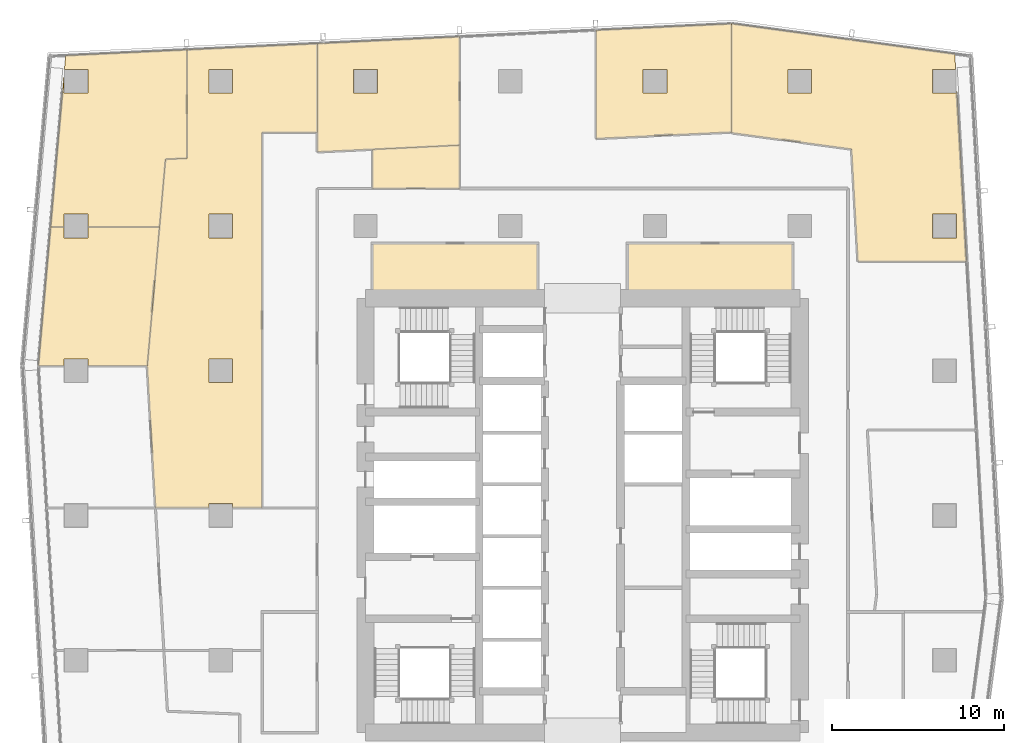
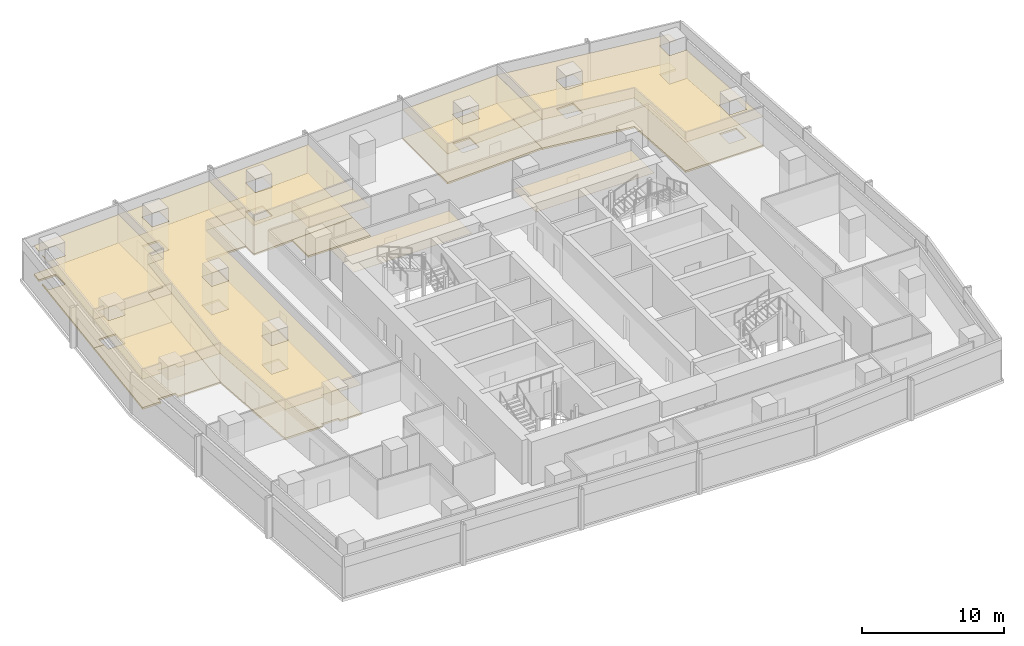
# One storey, part 39 of 39: 16 coverings.
"""IFC4 building model written with IfcOpenShell, lengths in metres."""

from ifc_helpers import new_model, si_unit, direction, frame, origin, place, context, subcontext, project, spatial, polyline, outline, extrude, material, layer, layer_set, type_object, element, save


model = new_model("IFC4")

# Units and contexts
model_context = context("Model", 3, precision=1e-05, world=origin(), true_north=direction((0.0, 1.0)))
body_context = subcontext(model_context, "Body", "Model", "MODEL_VIEW")
ifc_project = project(units=[si_unit("LENGTHUNIT", "METRE"), si_unit("AREAUNIT", "SQUARE_METRE"), si_unit("VOLUMEUNIT", "CUBIC_METRE"), si_unit("PLANEANGLEUNIT", "RADIAN"), si_unit("MASSUNIT", "GRAM", prefix="KILO")], contexts=[model_context])

# Site, building, storey
site_placement = place(None, origin())
site = spatial("IfcSite", under=ifc_project, at=site_placement, CompositionType="ELEMENT")
building_placement = place(site_placement, origin())
building = spatial("IfcBuilding", under=site, at=building_placement, Name="Rekha Terrace Tower", CompositionType="ELEMENT")
storey_placement = place(building_placement, frame((0.0, 0.0, 225.199951171875)))
storey = spatial("IfcBuildingStorey", under=building, at=storey_placement, Name="L57", CompositionType="ELEMENT", Elevation=225.199951171875)

# Coverings
ifc_material_1 = material(Name="Mineral fibre tile in exposed grid", Category="finish")
ifc_layer_1 = layer(ifc_material_1, 0.02001953125)
ifc_layer_set_1 = layer_set([ifc_layer_1], Name="Mineral fibre tile in exposed grid")
covering_type_1 = type_object("IfcCoveringType", Name="CL1 600x1200 office grid ceiling", PredefinedType="CEILING", material=ifc_layer_set_1)
covering_1_placement = place(storey_placement, frame((0.0, 0.0, 2.580078125)))
element("IfcCovering", 1, at=covering_1_placement, inside=storey, type_object=covering_type_1, Name="Ceiling L57-05", PredefinedType="CEILING", context=body_context, shape_type="SweptSolid", body=[
    extrude(outline(polyline([(58.110107421875, 59.489990234375), (59.443115234375, 59.489990234375), (59.39208984375, 60.39208984375), (46.445068359375, 62.154052734375), (46.445068359375, 55.7958984375), (53.39599609375, 54.85009765625), (53.76611328125, 48.33203125), (60.075927734375, 48.33203125), (59.51611328125, 58.2099609375), (59.489990234375, 58.208984375), (59.489990234375, 58.110107421875), (58.110107421875, 58.110107421875), (58.110107421875, 59.489990234375)]), holes=[polyline([(59.489990234375, 51.090087890625), (59.489990234375, 49.7099609375), (58.110107421875, 49.7099609375), (58.110107421875, 51.090087890625), (59.489990234375, 51.090087890625)]), polyline([(51.090087890625, 58.110107421875), (49.7099609375, 58.110107421875), (49.7099609375, 59.489990234375), (51.090087890625, 59.489990234375), (51.090087890625, 58.110107421875)])]), origin(), (0.0, 0.0, 1.0), 0.02001953125),
])
covering_2_placement = place(storey_placement, frame((0.0, 0.0, 2.580078125)))
element("IfcCovering", 2, at=covering_2_placement, inside=storey, type_object=covering_type_1, Name="Ceiling L57-06", PredefinedType="CEILING", context=body_context, shape_type="SweptSolid", body=[
    extrude(outline(polyline([(46.444091796875, 62.14697265625), (38.571044921875, 61.77099609375), (38.571044921875, 55.464111328125), (46.444091796875, 55.840087890625), (46.444091796875, 62.14697265625)]), holes=[polyline([(42.68994140625, 59.489990234375), (42.68994140625, 58.110107421875), (41.31005859375, 58.110107421875), (41.31005859375, 59.489990234375), (42.68994140625, 59.489990234375)])]), origin(), (0.0, 0.0, 1.0), 0.02001953125),
])
covering_3_placement = place(storey_placement, frame((0.0, 0.0, 2.580078125)))
element("IfcCovering", 3, at=covering_3_placement, inside=storey, type_object=covering_type_1, Name="Ceiling L57-07", PredefinedType="CEILING", context=body_context, shape_type="SweptSolid", body=[
    extrude(outline(polyline([(22.40087890625, 60.998046875), (22.40087890625, 54.69091796875), (30.660888671875, 55.0859375), (30.660888671875, 61.39306640625), (22.40087890625, 60.998046875)]), holes=[polyline([(25.889892578125, 58.110107421875), (24.510009765625, 58.110107421875), (24.510009765625, 59.489990234375), (25.889892578125, 59.489990234375), (25.889892578125, 58.110107421875)])]), origin(), (0.0, 0.0, 1.0), 0.02001953125),
])
covering_4_placement = place(storey_placement, frame((0.0, 0.0, 2.580078125)))
element("IfcCovering", 4, at=covering_4_placement, inside=storey, type_object=covering_type_1, Name="Ceiling L57-08", PredefinedType="CEILING", context=body_context, shape_type="SweptSolid", body=[
    extrude(outline(polyline([(13.593017578125, 54.27001953125), (14.842041015625, 54.3291015625), (14.842041015625, 60.636962890625), (7.801025390625, 60.300048828125), (7.72900390625, 59.489990234375), (9.090087890625, 59.489990234375), (9.090087890625, 58.110107421875), (7.7099609375, 58.110107421875), (7.7099609375, 59.0029296875), (7.68701171875, 59.00390625), (6.9208984375, 50.33203125), (7.7099609375, 50.33203125), (7.7099609375, 51.090087890625), (9.090087890625, 51.090087890625), (9.090087890625, 50.33203125), (13.2451171875, 50.33203125), (13.593017578125, 54.27001953125)])), origin(), (0.0, 0.0, 1.0), 0.02001953125),
])
covering_5_placement = place(storey_placement, frame((0.0, 0.0, 2.580078125)))
element("IfcCovering", 5, at=covering_5_placement, inside=storey, type_object=covering_type_1, Name="Ceiling L57-09", PredefinedType="CEILING", context=body_context, shape_type="SweptSolid", body=[
    extrude(outline(polyline([(7.7099609375, 49.7099609375), (7.7099609375, 50.3310546875), (6.9208984375, 50.3310546875), (6.2099609375, 42.282958984375), (7.7099609375, 42.282958984375), (7.7099609375, 42.68994140625), (9.090087890625, 42.68994140625), (9.090087890625, 42.282958984375), (12.534912109375, 42.282958984375), (13.2451171875, 50.3310546875), (9.090087890625, 50.3310546875), (9.090087890625, 49.7099609375), (7.7099609375, 49.7099609375)])), origin(), (0.0, 0.0, 1.0), 0.02001953125),
])
covering_6_placement = place(storey_placement, frame((0.0, 0.0, 2.580078125)))
element("IfcCovering", 6, at=covering_6_placement, inside=storey, type_object=covering_type_1, Name="Ceiling L57-14", PredefinedType="CEILING", context=body_context, shape_type="SweptSolid", body=[
    extrude(outline(polyline([(25.60009765625, 54.843994140625), (25.60009765625, 52.574951171875), (30.660888671875, 52.574951171875), (30.660888671875, 55.0859375), (25.60009765625, 54.843994140625)])), origin(), (0.0, 0.0, 1.0), 0.02001953125),
])
covering_7_placement = place(storey_placement, frame((0.0, 0.0, 2.580078125)))
element("IfcCovering", 7, at=covering_7_placement, inside=storey, type_object=covering_type_1, Name="Ceiling L57-O1b", PredefinedType="CEILING", context=body_context, shape_type="SweptSolid", body=[
    extrude(outline(polyline([(13.2451171875, 50.3310546875), (12.534912109375, 42.281005859375), (12.529052734375, 42.221923828125), (13.010986328125, 34.0400390625), (16.110107421875, 34.0400390625), (16.110107421875, 34.2900390625), (17.489990234375, 34.2900390625), (17.489990234375, 34.0400390625), (19.199951171875, 34.0400390625), (19.199951171875, 55.8291015625), (22.40087890625, 55.8291015625), (22.40087890625, 60.998046875), (14.842041015625, 60.636962890625), (14.842041015625, 54.3291015625), (13.593017578125, 54.27001953125), (13.2451171875, 50.3310546875)]), holes=[polyline([(17.489990234375, 42.68994140625), (17.489990234375, 41.31005859375), (16.110107421875, 41.31005859375), (16.110107421875, 42.68994140625), (17.489990234375, 42.68994140625)]), polyline([(17.489990234375, 51.090087890625), (17.489990234375, 49.7099609375), (16.110107421875, 49.7099609375), (16.110107421875, 51.090087890625), (17.489990234375, 51.090087890625)]), polyline([(17.489990234375, 59.489990234375), (17.489990234375, 58.110107421875), (16.110107421875, 58.110107421875), (16.110107421875, 59.489990234375), (17.489990234375, 59.489990234375)])]), origin(), (0.0, 0.0, 1.0), 0.02001953125),
])
ifc_material_2 = material(Name="Fibre cement board", Category="finish")
ifc_layer_2 = layer(ifc_material_2, 0.014892578125)
ifc_layer_set_2 = layer_set([ifc_layer_2], Name="Fibre cement board")
covering_type_2 = type_object("IfcCoveringType", Name="CL2 moisture-resistant board ceiling", PredefinedType="CEILING", material=ifc_layer_set_2)
covering_8_placement = place(storey_placement, frame((0.0, 0.0, 2.5849609375)))
element("IfcCovering", 8, at=covering_8_placement, inside=storey, type_object=covering_type_2, Name="Ceiling L57-WCF", PredefinedType="CEILING", context=body_context, shape_type="SweptSolid", body=[
    extrude(outline(polyline([(50.0, 49.39990234375), (40.39990234375, 49.39990234375), (40.39990234375, 46.199951171875), (50.0, 46.199951171875), (50.0, 49.39990234375)])), origin(), (0.0, 0.0, 1.0), 0.01513671875),
])
covering_9_placement = place(storey_placement, frame((0.0, 0.0, 2.5849609375)))
element("IfcCovering", 9, at=covering_9_placement, inside=storey, type_object=covering_type_2, Name="Ceiling L57-WCF2", PredefinedType="CEILING", context=body_context, shape_type="SweptSolid", body=[
    extrude(outline(polyline([(35.199951171875, 49.39990234375), (25.60009765625, 49.39990234375), (25.60009765625, 46.199951171875), (35.199951171875, 46.199951171875), (35.199951171875, 49.39990234375)])), origin(), (0.0, 0.0, 1.0), 0.01513671875),
])
ifc_material_3 = material(Name="Calcium sulphate panels on steel pedestals", Category="steel")
ifc_layer_3 = layer(ifc_material_3, 0.14990234375)
ifc_layer_set_3 = layer_set([ifc_layer_3], Name="Calcium sulphate panels on steel pedestals")
covering_type_3 = type_object("IfcCoveringType", Name="RF1 150 raised access floor", PredefinedType="FLOORING", material=ifc_layer_set_3)
covering_10_placement = place(storey_placement, origin())
element("IfcCovering", 10, at=covering_10_placement, inside=storey, type_object=covering_type_3, Name="Raised floor L57-05", PredefinedType="FLOORING", context=body_context, shape_type="SweptSolid", body=[
    extrude(outline(polyline([(58.110107421875, 59.489990234375), (59.443115234375, 59.489990234375), (59.39208984375, 60.39208984375), (46.445068359375, 62.154052734375), (46.445068359375, 55.7958984375), (53.39599609375, 54.85009765625), (53.76611328125, 48.33203125), (60.075927734375, 48.33203125), (59.51611328125, 58.2099609375), (59.489990234375, 58.208984375), (59.489990234375, 58.110107421875), (58.110107421875, 58.110107421875), (58.110107421875, 59.489990234375)]), holes=[polyline([(59.489990234375, 51.090087890625), (59.489990234375, 49.7099609375), (58.110107421875, 49.7099609375), (58.110107421875, 51.090087890625), (59.489990234375, 51.090087890625)]), polyline([(51.090087890625, 58.110107421875), (49.7099609375, 58.110107421875), (49.7099609375, 59.489990234375), (51.090087890625, 59.489990234375), (51.090087890625, 58.110107421875)])]), origin(), (0.0, 0.0, 1.0), 0.150146484375),
])
covering_11_placement = place(storey_placement, origin())
element("IfcCovering", 11, at=covering_11_placement, inside=storey, type_object=covering_type_3, Name="Raised floor L57-06", PredefinedType="FLOORING", context=body_context, shape_type="SweptSolid", body=[
    extrude(outline(polyline([(46.444091796875, 62.14697265625), (38.571044921875, 61.77099609375), (38.571044921875, 55.464111328125), (46.444091796875, 55.840087890625), (46.444091796875, 62.14697265625)]), holes=[polyline([(42.68994140625, 59.489990234375), (42.68994140625, 58.110107421875), (41.31005859375, 58.110107421875), (41.31005859375, 59.489990234375), (42.68994140625, 59.489990234375)])]), origin(), (0.0, 0.0, 1.0), 0.150146484375),
])
covering_12_placement = place(storey_placement, origin())
element("IfcCovering", 12, at=covering_12_placement, inside=storey, type_object=covering_type_3, Name="Raised floor L57-07", PredefinedType="FLOORING", context=body_context, shape_type="SweptSolid", body=[
    extrude(outline(polyline([(22.40087890625, 60.998046875), (22.40087890625, 54.69091796875), (30.660888671875, 55.0859375), (30.660888671875, 61.39306640625), (22.40087890625, 60.998046875)]), holes=[polyline([(25.889892578125, 58.110107421875), (24.510009765625, 58.110107421875), (24.510009765625, 59.489990234375), (25.889892578125, 59.489990234375), (25.889892578125, 58.110107421875)])]), origin(), (0.0, 0.0, 1.0), 0.150146484375),
])
covering_13_placement = place(storey_placement, origin())
element("IfcCovering", 13, at=covering_13_placement, inside=storey, type_object=covering_type_3, Name="Raised floor L57-08", PredefinedType="FLOORING", context=body_context, shape_type="SweptSolid", body=[
    extrude(outline(polyline([(13.593017578125, 54.27001953125), (14.842041015625, 54.3291015625), (14.842041015625, 60.636962890625), (7.801025390625, 60.300048828125), (7.72900390625, 59.489990234375), (9.090087890625, 59.489990234375), (9.090087890625, 58.110107421875), (7.7099609375, 58.110107421875), (7.7099609375, 59.0029296875), (7.68701171875, 59.00390625), (6.9208984375, 50.33203125), (7.7099609375, 50.33203125), (7.7099609375, 51.090087890625), (9.090087890625, 51.090087890625), (9.090087890625, 50.33203125), (13.2451171875, 50.33203125), (13.593017578125, 54.27001953125)])), origin(), (0.0, 0.0, 1.0), 0.150146484375),
])
covering_14_placement = place(storey_placement, origin())
element("IfcCovering", 14, at=covering_14_placement, inside=storey, type_object=covering_type_3, Name="Raised floor L57-09", PredefinedType="FLOORING", context=body_context, shape_type="SweptSolid", body=[
    extrude(outline(polyline([(7.7099609375, 49.7099609375), (7.7099609375, 50.3310546875), (6.9208984375, 50.3310546875), (6.2099609375, 42.282958984375), (7.7099609375, 42.282958984375), (7.7099609375, 42.68994140625), (9.090087890625, 42.68994140625), (9.090087890625, 42.282958984375), (12.534912109375, 42.282958984375), (13.2451171875, 50.3310546875), (9.090087890625, 50.3310546875), (9.090087890625, 49.7099609375), (7.7099609375, 49.7099609375)])), origin(), (0.0, 0.0, 1.0), 0.150146484375),
])
covering_15_placement = place(storey_placement, origin())
element("IfcCovering", 15, at=covering_15_placement, inside=storey, type_object=covering_type_3, Name="Raised floor L57-14", PredefinedType="FLOORING", context=body_context, shape_type="SweptSolid", body=[
    extrude(outline(polyline([(25.60009765625, 54.843994140625), (25.60009765625, 52.574951171875), (30.660888671875, 52.574951171875), (30.660888671875, 55.0859375), (25.60009765625, 54.843994140625)])), origin(), (0.0, 0.0, 1.0), 0.150146484375),
])
covering_16_placement = place(storey_placement, origin())
element("IfcCovering", 16, at=covering_16_placement, inside=storey, type_object=covering_type_3, Name="Raised floor L57-O1b", PredefinedType="FLOORING", context=body_context, shape_type="SweptSolid", body=[
    extrude(outline(polyline([(13.2451171875, 50.3310546875), (12.534912109375, 42.281005859375), (12.529052734375, 42.221923828125), (13.010986328125, 34.0400390625), (16.110107421875, 34.0400390625), (16.110107421875, 34.2900390625), (17.489990234375, 34.2900390625), (17.489990234375, 34.0400390625), (19.199951171875, 34.0400390625), (19.199951171875, 55.8291015625), (22.40087890625, 55.8291015625), (22.40087890625, 60.998046875), (14.842041015625, 60.636962890625), (14.842041015625, 54.3291015625), (13.593017578125, 54.27001953125), (13.2451171875, 50.3310546875)]), holes=[polyline([(17.489990234375, 42.68994140625), (17.489990234375, 41.31005859375), (16.110107421875, 41.31005859375), (16.110107421875, 42.68994140625), (17.489990234375, 42.68994140625)]), polyline([(17.489990234375, 51.090087890625), (17.489990234375, 49.7099609375), (16.110107421875, 49.7099609375), (16.110107421875, 51.090087890625), (17.489990234375, 51.090087890625)]), polyline([(17.489990234375, 59.489990234375), (17.489990234375, 58.110107421875), (16.110107421875, 58.110107421875), (16.110107421875, 59.489990234375), (17.489990234375, 59.489990234375)])]), origin(), (0.0, 0.0, 1.0), 0.150146484375),
])

save(model, "model.ifc")
